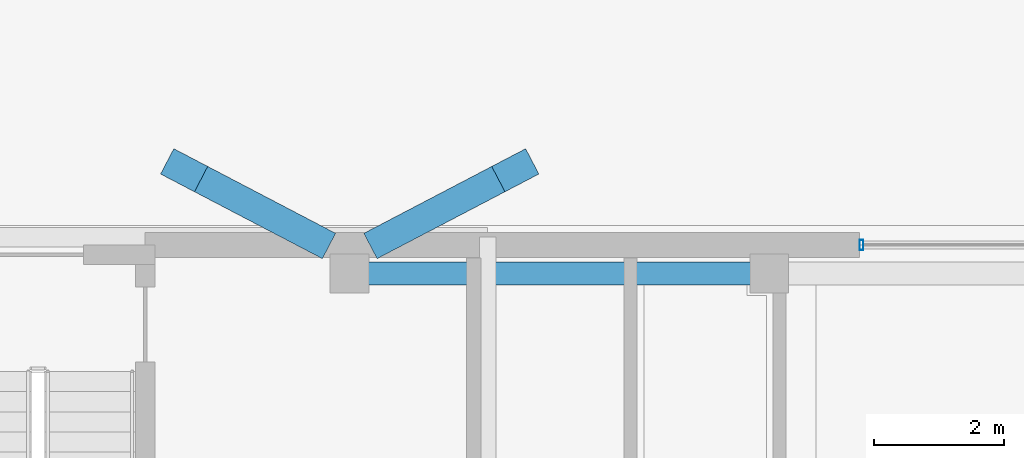
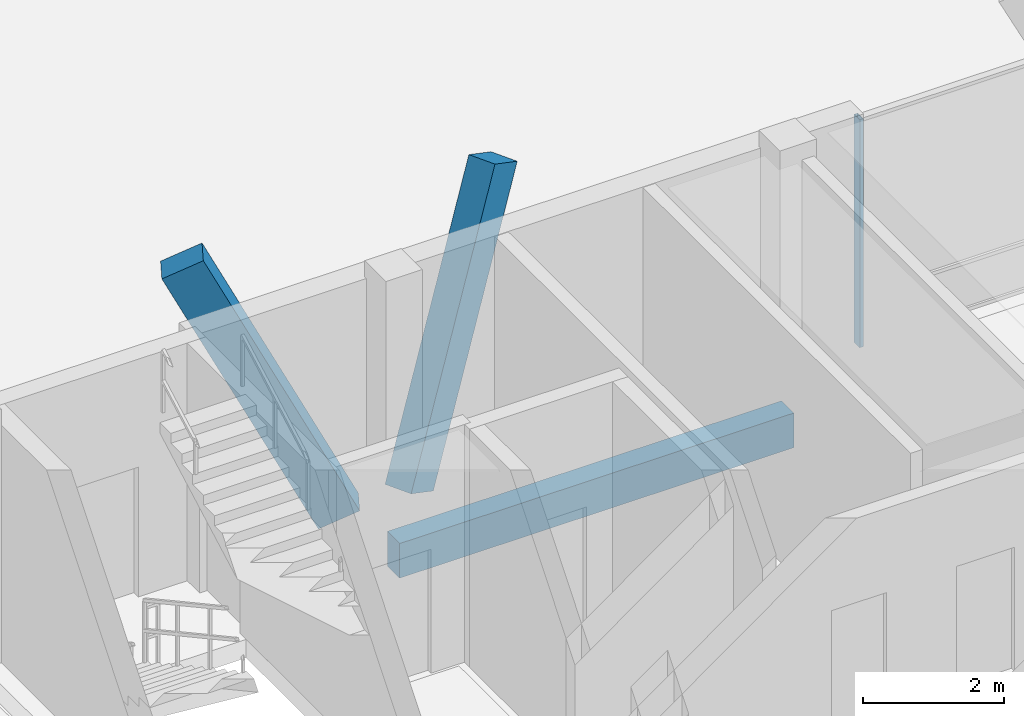
# One storey, part 42 of 233: 3 members, 1 beam, 1 element without a shape of its own.
"""IFC4 building model written with IfcOpenShell, lengths in metres."""

import ifcopenshell
import ifcopenshell.guid

model = None  # the IFC model being written
_history = None  # IfcOwnerHistory: only IFC2X3 demands one
_inside = {}  # id of a spatial element -> (the spatial element, [elements in it])
_under = {}  # id of a project, library or spatial element -> (it, [spatial elements below it])
_declared = {}  # id of a project -> (the project, [libraries it declares])
_typed = {}  # id of a type object -> (the type object, [elements of that type])
_made_of = {}  # id of a material, layer set ... -> (it, [elements and type objects made of it])


def new_model(schema):
    """Start an empty IFC model of exactly this schema.

    Asked for "IFC4X3", IfcOpenShell would pick the latest addendum, in which some entities
    have other attributes; the version numbers below select the first issue.
    IFC2X3 requires an IfcOwnerHistory on every rooted entity: one is made here for all.
    """
    global model, _history
    if schema == "IFC4X3":
        model = ifcopenshell.file(schema_version=(4, 3, 0, 0))
    else:
        model = ifcopenshell.file(schema=schema)
    _inside.clear()
    _under.clear()
    _declared.clear()
    _typed.clear()
    _made_of.clear()
    _history = None
    if model.schema == "IFC2X3":
        org = make("IfcOrganization", Name="unknown")
        user = make(
            "IfcPersonAndOrganization",
            ThePerson=make("IfcPerson", FamilyName="unknown"),
            TheOrganization=org,
        )
        app = make(
            "IfcApplication",
            ApplicationDeveloper=org,
            Version="unknown",
            ApplicationFullName="unknown",
            ApplicationIdentifier="unknown",
        )
        _history = make(
            "IfcOwnerHistory",
            OwningUser=user,
            OwningApplication=app,
            ChangeAction="ADDED",
            CreationDate=0,
        )
    return model


def make(cls, **values):
    """One entity of the class cls with the attributes given. An attribute that is None is left unset."""
    return model.create_entity(
        cls, **{name: value for name, value in values.items() if value is not None}
    )


def rooted(cls, **values):
    """An entity with a GlobalId (a new one), such as an element, a storey or a relation."""
    return make(cls, GlobalId=ifcopenshell.guid.new(), OwnerHistory=_history, **values)


def si_unit(unit_type, name, prefix=None):
    """IfcSIUnit, for example si_unit("LENGTHUNIT", "METRE", prefix="MILLI")."""
    return make("IfcSIUnit", UnitType=unit_type, Prefix=prefix, Name=name)


def assignment(units):
    """IfcUnitAssignment: the units of a project."""
    return None if units is None else make("IfcUnitAssignment", Units=units)


def point(xyz):
    """IfcCartesianPoint."""
    return None if xyz is None else make("IfcCartesianPoint", Coordinates=xyz)


def direction(xyz):
    """IfcDirection."""
    return None if xyz is None else make("IfcDirection", DirectionRatios=xyz)


def frame(location, z_axis=None, x_axis=None):
    """IfcAxis2Placement3D, a coordinate frame: its origin and axes. An axis left out is left unset."""
    return make(
        "IfcAxis2Placement3D",
        Location=point(location),
        Axis=direction(z_axis),
        RefDirection=direction(x_axis),
    )


def frame_2d(location, x_axis=None):
    """IfcAxis2Placement2D, a coordinate frame in the plane: its origin and x axis."""
    return make(
        "IfcAxis2Placement2D", Location=point(location), RefDirection=direction(x_axis)
    )


def origin():
    """The frame at (0, 0, 0) with its axes left unset."""
    return frame((0.0, 0.0, 0.0))


def origin_2d():
    """The frame at (0, 0) in the plane with its x axis left unset."""
    return frame_2d((0.0, 0.0))


def place(relative_to, where):
    """IfcLocalPlacement: puts the frame where relative to a parent placement (None: the world)."""
    return make(
        "IfcLocalPlacement", PlacementRelTo=relative_to, RelativePlacement=where
    )


def context(
    kind, dimensions, precision=None, world=None, true_north=None, identifier=None
):
    """IfcGeometricRepresentationContext, for example the 3D "Model" context."""
    return make(
        "IfcGeometricRepresentationContext",
        ContextIdentifier=identifier,
        ContextType=kind,
        CoordinateSpaceDimension=dimensions,
        Precision=precision,
        WorldCoordinateSystem=world,
        TrueNorth=true_north,
    )


def subcontext(parent, identifier, kind, view, scale=None):
    """IfcGeometricRepresentationSubContext, for example "Body" below "Model"."""
    return make(
        "IfcGeometricRepresentationSubContext",
        ContextIdentifier=identifier,
        ContextType=kind,
        ParentContext=parent,
        TargetScale=scale,
        TargetView=view,
    )


def project(units=None, contexts=None):
    """IfcProject with its units and contexts."""
    return rooted(
        "IfcProject",
        Name="project",
        RepresentationContexts=contexts,
        UnitsInContext=assignment(units),
    )


def spatial(cls, under=None, at=None, **own):
    """A site, building, storey or space (cls), placed at a placement, below another one or the project."""
    s = rooted(cls, ObjectPlacement=at, **own)
    if under is not None:
        _under.setdefault(under.id(), (under, []))[1].append(s)
    return s


def profile(cls, at=None, kind="AREA", **sizes):
    """A parametric profile (cls). Its sizes go by their IFC names, for example OverallWidth=200.0."""
    return make(cls, ProfileType=kind, Position=at, **sizes)


def rectangle(**sizes):
    """IfcRectangleProfileDef."""
    return profile("IfcRectangleProfileDef", **sizes)


def hollow_rectangle(**sizes):
    """IfcRectangleHollowProfileDef."""
    return profile("IfcRectangleHollowProfileDef", **sizes)


def extrude(swept, where, along, depth):
    """IfcExtrudedAreaSolid: the profile swept, set in the frame where, extruded along a direction by depth."""
    return make(
        "IfcExtrudedAreaSolid",
        SweptArea=swept,
        Position=where,
        ExtrudedDirection=direction(along),
        Depth=depth,
    )


def shape(context_of_items, identifier, shape_type, items):
    """IfcShapeRepresentation: the items that make up one representation, for example the "Body"."""
    return make(
        "IfcShapeRepresentation",
        ContextOfItems=context_of_items,
        RepresentationIdentifier=identifier,
        RepresentationType=shape_type,
        Items=items,
    )


def material(Name=None, Category=None):
    """IfcMaterial."""
    return make("IfcMaterial", Name=Name, Category=Category)


def material_profile(
    of_material, cross_section, Name=None, Category=None, Priority=None
):
    """IfcMaterialProfile: a cross section and its material."""
    return make(
        "IfcMaterialProfile",
        Name=Name,
        Material=of_material,
        Profile=cross_section,
        Priority=Priority,
        Category=Category,
    )


def profile_set(profiles, Name=None, composite=None):
    """IfcMaterialProfileSet."""
    return make(
        "IfcMaterialProfileSet",
        Name=Name,
        MaterialProfiles=profiles,
        CompositeProfile=composite,
    )


def made_of(thing, what):
    """Note that an element or type object is made of a material, layer set ...; save() writes the relation."""
    if what is not None:
        _made_of.setdefault(what.id(), (what, []))[1].append(thing)
    return thing


def type_object(cls, material=None, **own):
    """A type object (cls), such as IfcWallType, which elements share."""
    return made_of(rooted(cls, **own), material)


def element(
    cls,
    number,
    at=None,
    inside=None,
    cuts=None,
    type_object=None,
    material=None,
    context=None,
    identifier="Body",
    shape_type=None,
    held_by="IfcProductDefinitionShape",
    body=None,
    shapes=None,
    **own,
):
    """One element of the class cls, such as IfcWall. Its Tag is "e" and its number.

    at: its placement. inside: the storey or other place that contains it. cuts: it is an
    opening in that element (IfcRelVoidsElement). A single representation is given by context,
    identifier, shape_type and body (its items); several are given by shapes. held_by: the class
    of the entity that holds the representations. save() writes the other relations.
    """
    e = rooted(cls, Tag="e%d" % number, ObjectPlacement=at, **own)
    if body is not None:
        shapes = [shape(context, identifier, shape_type, body)]
    if shapes is not None:
        e.Representation = make(held_by, Representations=shapes)
    if inside is not None:
        _inside.setdefault(inside.id(), (inside, []))[1].append(e)
    if cuts is not None:
        rooted(
            "IfcRelVoidsElement", RelatingBuildingElement=cuts, RelatedOpeningElement=e
        )
    if type_object is not None:
        _typed.setdefault(type_object.id(), (type_object, []))[1].append(e)
    return made_of(e, material)


def aggregate(whole, parts):
    """IfcRelAggregates: a whole, such as a stair, and the parts it consists of."""
    return rooted("IfcRelAggregates", RelatingObject=whole, RelatedObjects=parts)


def save(model, path):
    """Write the relations noted so far, then the file.

    IfcRelAggregates (storeys below a building ...), IfcRelContainedInSpatialStructure (elements
    in a storey), IfcRelDefinesByType, IfcRelAssociatesMaterial and IfcRelDeclares: one each for
    every whole, place, type object, material and project.
    """
    for whole, parts in _under.values():
        aggregate(whole, parts)
    for where, things in _inside.values():
        rooted(
            "IfcRelContainedInSpatialStructure",
            RelatedElements=things,
            RelatingStructure=where,
        )
    for kind, things in _typed.values():
        rooted("IfcRelDefinesByType", RelatedObjects=things, RelatingType=kind)
    for what, things in _made_of.values():
        rooted("IfcRelAssociatesMaterial", RelatedObjects=things, RelatingMaterial=what)
    for by, libraries in _declared.values():
        rooted("IfcRelDeclares", RelatingContext=by, RelatedDefinitions=libraries)
    model.write(path)


model = new_model("IFC4")

# Units and contexts
model_context = context("Model", 3, precision=1e-05, world=origin(), true_north=direction((0.0, 1.0)))
body_context = subcontext(model_context, "Body", "Model", "MODEL_VIEW")
ifc_project = project(units=[si_unit("LENGTHUNIT", "METRE"), si_unit("AREAUNIT", "SQUARE_METRE"), si_unit("VOLUMEUNIT", "CUBIC_METRE"), si_unit("PLANEANGLEUNIT", "RADIAN"), si_unit("MASSUNIT", "GRAM", prefix="KILO")], contexts=[model_context])

# Site, building, storey
site_placement = place(None, origin())
site = spatial("IfcSite", under=ifc_project, at=site_placement, CompositionType="ELEMENT")
building_placement = place(site_placement, origin())
building = spatial("IfcBuilding", under=site, at=building_placement, Name="Zavelmont Quarter", CompositionType="ELEMENT")
storey_placement = place(building_placement, origin())
storey = spatial("IfcBuildingStorey", under=building, at=storey_placement, Name="L00", CompositionType="ELEMENT", Elevation=0.0)

# Beam
ifc_material_1 = material(Name="Concrete C35/45", Category="concrete")
ifc_material_profile_1 = material_profile(ifc_material_1, rectangle(XDim=0.35009765625, YDim=0.60009765625, at=origin_2d()), Name="RC350X600")
ifc_profile_set_1 = profile_set([ifc_material_profile_1], Name="Concrete C35/45")
beam_type = type_object("IfcBeamType", Name="BM01", PredefinedType="SPANDREL", material=ifc_profile_set_1)
beam_placement = place(storey_placement, frame((34.5, 17.9599609375, -0.6201171875), z_axis=(1.0, 0.0, 0.0), x_axis=(0.0, 1.0, 0.0)))
element("IfcBeam", 1, at=beam_placement, inside=storey, type_object=beam_type, Name="L00 beam BM01 6/D to 7/D", PredefinedType="SPANDREL", context=body_context, shape_type="SweptSolid", body=[
    extrude(rectangle(XDim=0.35009765625, YDim=0.60009765625, at=origin_2d()), origin(), (0.0, 0.0, 1.0), 6.4599609375),
])

# Curtain wall, member
ifc_material_2 = material(Name="Thermally broken aluminium and double low-E safety glazing", Category="aluminium")
curtain_wall_type = type_object("IfcCurtainWallType", Name="CW-1185X395", PredefinedType="NOTDEFINED", material=ifc_material_2)
curtain_wall_placement = place(storey_placement, origin())
curtain_wall = element("IfcCurtainWall", 2, at=curtain_wall_placement, inside=storey, type_object=curtain_wall_type, Name="L00 unitised curtain wall CW-1185X395", PredefinedType="NOTDEFINED")
ifc_material_3 = material(Name="Powder-coated aluminium EN AW-6063-T6", Category="aluminium")
ifc_material_profile_2 = material_profile(ifc_material_3, hollow_rectangle(XDim=0.06005859375, YDim=0.159912109375, WallThickness=0.00390625, at=origin_2d()), Name="CWM60X160")
ifc_profile_set_2 = profile_set([ifc_material_profile_2], Name="Powder-coated aluminium EN AW-6063-T6")
member_type_1 = type_object("IfcMemberType", Name="CWM01", PredefinedType="MULLION", material=ifc_profile_set_2)
member_placement = place(storey_placement, frame((42.3798828125, 18.39990234375, 0.0), z_axis=(0.0, 0.0, 1.0), x_axis=(1.0, 0.0, 0.0)))
member = element("IfcMember", 3, at=member_placement, type_object=member_type_1, Name="CW-1185X395 mullion 1", PredefinedType="MULLION", context=body_context, shape_type="SweptSolid", body=[
    extrude(hollow_rectangle(XDim=0.06005859375, YDim=0.159912109375, WallThickness=0.00390625, at=origin_2d()), origin(), (0.0, 0.0, 1.0), 3.949951171875),
])
aggregate(curtain_wall, [member])

# Members
ifc_material_4 = material(Name="White architectural precast concrete C40/50", Category="concrete")
ifc_material_profile_3 = material_profile(ifc_material_4, rectangle(XDim=0.43994140625, YDim=0.659912109375, at=origin_2d()), Name="PCR320X480")
ifc_profile_set_3 = profile_set([ifc_material_profile_3], Name="White architectural precast concrete C40/50")
member_type_2 = type_object("IfcMemberType", Name="VR01M", PredefinedType="CHORD", material=ifc_profile_set_3)
for number, where, z_axis, x_axis, name in (
    (4, (33.919921875, 18.52001953125, 0.0), (-0.399538144228, 0.208956418805, 0.892584162053), (-0.463440469486, -0.886128055781, 0.0), "L00 member VR01M 6/D to 6/D"),
    (5, (35.080078125, 18.52001953125, 0.0), (0.399538144228, 0.208956418805, 0.892584162053), (-0.463440469486, 0.886128055781, 0.0), "L00 member VR01M 6/D to 6/D"),
):
    element("IfcMember", number, at=place(storey_placement, frame(where, z_axis=z_axis, x_axis=x_axis)), inside=storey, type_object=member_type_2, Name=name, PredefinedType="CHORD", context=body_context, shape_type="SweptSolid", body=[
        extrude(rectangle(XDim=0.43994140625, YDim=0.659912109375, at=origin_2d()), origin(), (0.0, 0.0, 1.0), 4.929443359375),
    ])

save(model, "model.ifc")
